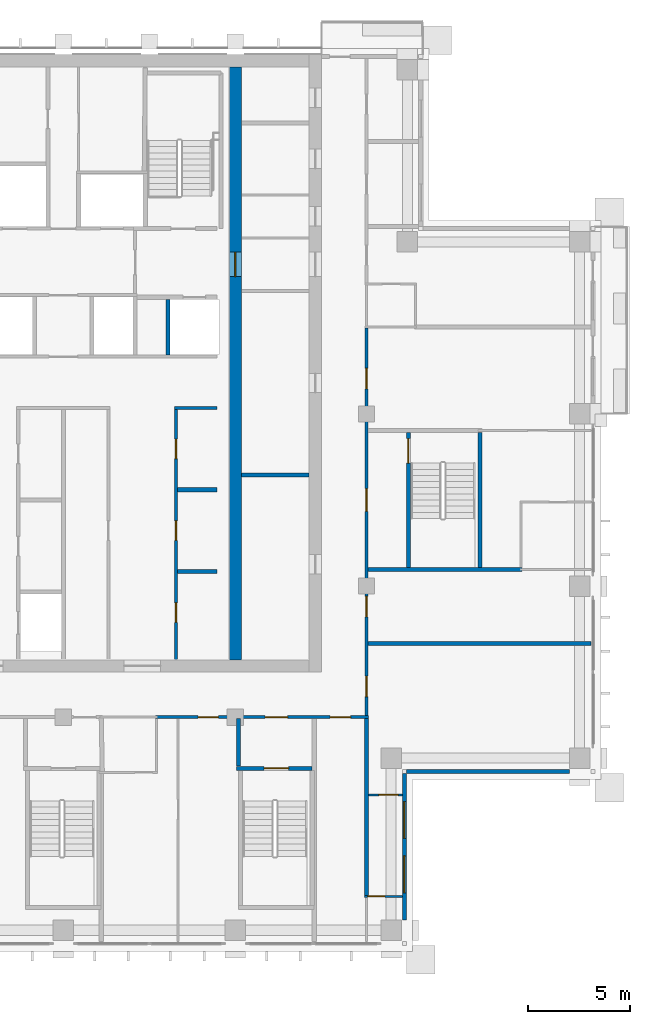
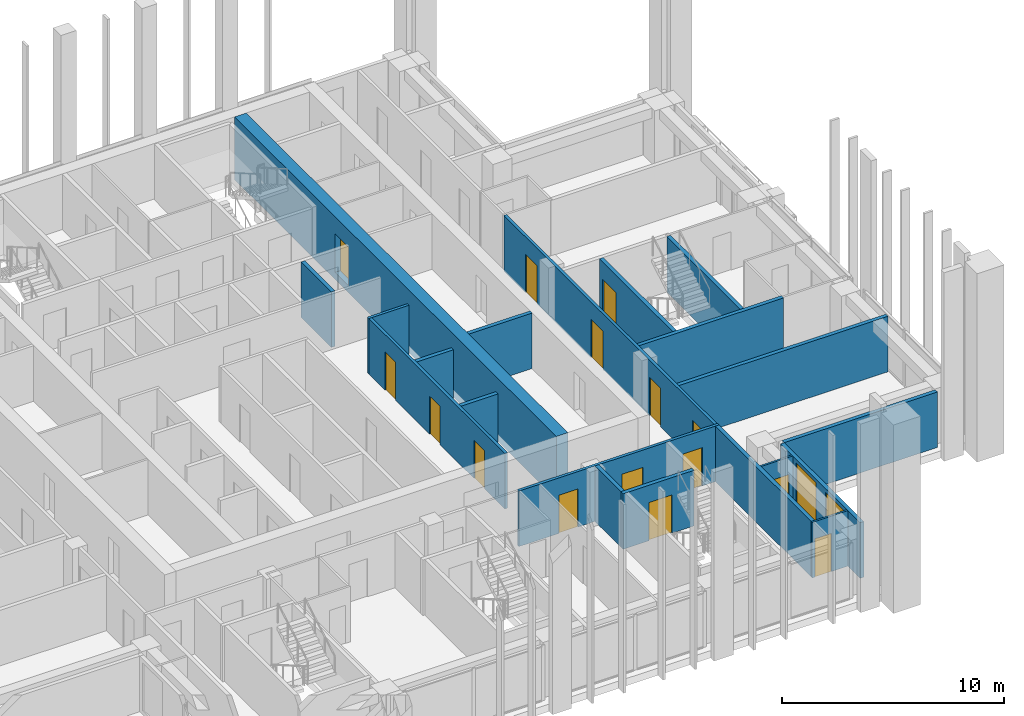
# One storey, part 10 of 17: 20 walls, 15 doors, 2 windows, 17 openings.
"""IFC4 building model written with IfcOpenShell, lengths in metres."""

from ifc_helpers import new_model, si_unit, direction, frame, frame_2d, origin, place, context, subcontext, project, spatial, rectangle, extrude, material, layer, layer_set, type_object, element, fill, save


model = new_model("IFC4")

# Units and contexts
model_context = context("Model", 3, precision=1e-05, world=origin(), true_north=direction((0.0, 1.0)))
body_context = subcontext(model_context, "Body", "Model", "MODEL_VIEW")
ifc_project = project(units=[si_unit("LENGTHUNIT", "METRE"), si_unit("AREAUNIT", "SQUARE_METRE"), si_unit("VOLUMEUNIT", "CUBIC_METRE"), si_unit("PLANEANGLEUNIT", "RADIAN"), si_unit("MASSUNIT", "GRAM", prefix="KILO")], contexts=[model_context])

# Site, building, storey
site_placement = place(None, origin())
site = spatial("IfcSite", under=ifc_project, at=site_placement, CompositionType="ELEMENT")
building_placement = place(site_placement, origin())
building = spatial("IfcBuilding", under=site, at=building_placement, Name="Vermilion Ogive Tower", CompositionType="ELEMENT")
storey_placement = place(building_placement, frame((0.0, 0.0, 175.550048828125)))
storey = spatial("IfcBuildingStorey", under=building, at=storey_placement, Name="L45", CompositionType="ELEMENT", Elevation=175.550048828125)

# Wall, opening, door
ifc_material_1 = material(Name="Concrete B60", Category="concrete")
ifc_layer_1 = layer(ifc_material_1, 0.60009765625)
ifc_layer_set_1 = layer_set([ifc_layer_1], Name="Core wall 600 B60")
wall_type_1 = type_object("IfcWallType", Name="Core wall 600 B60", PredefinedType="SHEAR", material=ifc_layer_set_1)
wall_1_placement = place(storey_placement, frame((8.39990234375, -7.800048828125, -0.400146484375), z_axis=(0.0, 0.0, 1.0), x_axis=(0.0, 1.0, 0.0)))
wall_1 = element("IfcWall", 1, at=wall_1_placement, inside=storey, type_object=wall_type_1, Name="L45-CORE-WEB2", PredefinedType="SHEAR", context=body_context, shape_type="SweptSolid", body=[
    extrude(rectangle(XDim=28.949951171875, YDim=0.60009765625, at=frame_2d((14.47509765625, 0.0))), origin(), (0.0, 0.0, 1.0), 3.4501953125),
])
opening_1_placement = place(wall_1_placement, frame((18.699951171875, 0.0, 0.39990234375)))
opening_1 = element("IfcOpeningElement", 2, at=opening_1_placement, cuts=wall_1, Name="Opening DAO013", PredefinedType="OPENING", context=body_context, shape_type="SweptSolid", body=[
    extrude(rectangle(XDim=1.199951171875, YDim=2.10009765625, at=frame_2d((0.60009765625, 1.050048828125))), frame((0.0, 0.31005859375, 0.0), z_axis=(0.0, -1.0, 0.0), x_axis=(1.0, 0.0, 0.0)), (0.0, 0.0, 1.0), 0.6201171875),
])
ifc_material_2 = material(Name="Timber door leaf", Category="wood")
door_type_1 = type_object("IfcDoorType", Name="Link door 1200 x 2100 FD60S", OperationType="SINGLE_SWING_LEFT", PredefinedType="DOOR", material=ifc_material_2)
door_1_placement = place(opening_1_placement, origin())
door_1 = element("IfcDoor", 3, at=door_1_placement, inside=storey, type_object=door_type_1, Name="L45-CKE-XW", OperationType="SINGLE_SWING_LEFT", OverallHeight=2.10009765625, OverallWidth=1.199951171875, PredefinedType="DOOR", context=body_context, shape_type="SweptSolid", body=[
    extrude(rectangle(XDim=1.199951171875, YDim=2.10009765625, at=frame_2d((0.60009765625, 1.050048828125))), frame((0.0, 0.02490234375, 0.0), z_axis=(0.0, -1.0, 0.0), x_axis=(1.0, 0.0, 0.0)), (0.0, 0.0, 1.0), 0.050048828125),
])
fill(opening_1, door_1)

ifc_material_3 = material(Name="Gypsum board partition on steel studs", Category="steel")
ifc_layer_2 = layer(ifc_material_3, 0.10009765625)
ifc_layer_set_2 = layer_set([ifc_layer_2], Name="Partition 100 bath")
wall_type_2 = type_object("IfcWallType", Name="Partition 100 bath", PredefinedType="PARTITIONING", material=ifc_layer_set_2)
wall_2_placement = place(storey_placement, frame((14.699951171875, -19.35009765625, 0.0), z_axis=(0.0, 0.0, 1.0), x_axis=(1.0, 0.0, 0.0)))
wall_2 = element("IfcWall", 4, at=wall_2_placement, inside=storey, type_object=wall_type_2, Name="L45-W-W005", PredefinedType="PARTITIONING", context=body_context, shape_type="SweptSolid", body=[
    extrude(rectangle(XDim=1.85009765625, YDim=0.10009765625, at=frame_2d((0.925048828125, 0.0))), origin(), (0.0, 0.0, 1.0), 3.050048828125),
])
opening_2_placement = place(wall_2_placement, frame((0.14990234375, 0.0, 0.0)))
opening_2 = element("IfcOpeningElement", 5, at=opening_2_placement, cuts=wall_2, Name="Opening D4G1019", PredefinedType="OPENING", context=body_context, shape_type="SweptSolid", body=[
    extrude(rectangle(XDim=0.85009765625, YDim=2.10009765625, at=frame_2d((0.425048828125, 1.050048828125))), frame((0.0, 0.06005859375, 0.0), z_axis=(0.0, -1.0, 0.0), x_axis=(1.0, 0.0, 0.0)), (0.0, 0.0, 1.0), 0.1201171875),
])
ifc_material_4 = material(Name="Timber door leaf", Category="wood")
door_type_2 = type_object("IfcDoorType", Name="Bath door 850 x 2100 FD30", OperationType="SINGLE_SWING_LEFT", PredefinedType="DOOR", material=ifc_material_4)
door_2_placement = place(opening_2_placement, origin())
door_2 = element("IfcDoor", 6, at=door_2_placement, inside=storey, type_object=door_type_2, Name="L45-D-D019", OperationType="SINGLE_SWING_RIGHT", OverallHeight=2.10009765625, OverallWidth=0.85009765625, PredefinedType="DOOR", context=body_context, shape_type="SweptSolid", body=[
    extrude(rectangle(XDim=0.85009765625, YDim=2.10009765625, at=frame_2d((0.425048828125, 1.050048828125))), frame((0.0, 0.02490234375, 0.0), z_axis=(0.0, -1.0, 0.0), x_axis=(1.0, 0.0, 0.0)), (0.0, 0.0, 1.0), 0.050048828125),
])
fill(opening_2, door_2)

ifc_material_5 = material(Name="Gypsum board partition on steel studs", Category="steel")
ifc_layer_3 = layer(ifc_material_5, 0.10009765625)
ifc_layer_set_3 = layer_set([ifc_layer_3], Name="Partition 100 inner")
wall_type_3 = type_object("IfcWallType", Name="Partition 100 inner", PredefinedType="PARTITIONING", material=ifc_layer_set_3)
wall_3_placement = place(storey_placement, frame((14.89990234375, -14.39990234375, 0.0), z_axis=(0.0, 0.0, 1.0), x_axis=(1.0, 0.0, 0.0)))
wall_3 = element("IfcWall", 7, at=wall_3_placement, inside=storey, type_object=wall_type_3, Name="L45-W-W007", PredefinedType="PARTITIONING", context=body_context, shape_type="SweptSolid", body=[
    extrude(rectangle(XDim=1.650146484375, YDim=0.10009765625, at=frame_2d((0.8251953125, 0.0))), origin(), (0.0, 0.0, 1.0), 3.050048828125),
])
opening_3_placement = place(wall_3_placement, frame((0.500244140625, 0.0, 0.0)))
opening_3 = element("IfcOpeningElement", 8, at=opening_3_placement, cuts=wall_3, Name="Opening D4G1018", PredefinedType="OPENING", context=body_context, shape_type="SweptSolid", body=[
    extrude(rectangle(XDim=0.949951171875, YDim=2.10009765625, at=frame_2d((0.47509765625, 1.050048828125))), frame((0.0, 0.06005859375, 0.0), z_axis=(0.0, -1.0, 0.0), x_axis=(1.0, 0.0, 0.0)), (0.0, 0.0, 1.0), 0.1201171875),
])
ifc_material_6 = material(Name="Timber door leaf", Category="wood")
door_type_3 = type_object("IfcDoorType", Name="Inner door 950 x 2100 FD30", OperationType="SINGLE_SWING_LEFT", PredefinedType="DOOR", material=ifc_material_6)
door_3_placement = place(opening_3_placement, origin())
door_3 = element("IfcDoor", 9, at=door_3_placement, inside=storey, type_object=door_type_3, Name="L45-D-D018", OperationType="SINGLE_SWING_RIGHT", OverallHeight=2.10009765625, OverallWidth=0.949951171875, PredefinedType="DOOR", context=body_context, shape_type="SweptSolid", body=[
    extrude(rectangle(XDim=0.949951171875, YDim=2.10009765625, at=frame_2d((0.47509765625, 1.050048828125))), frame((0.0, 0.02490234375, 0.0), z_axis=(0.0, -1.0, 0.0), x_axis=(1.0, 0.0, 0.0)), (0.0, 0.0, 1.0), 0.050048828125),
])
fill(opening_3, door_3)

# Wall, openings, doors
ifc_material_7 = material(Name="Gypsum board partition on steel studs", Category="steel")
ifc_layer_4 = layer(ifc_material_7, 0.14990234375)
ifc_layer_set_4 = layer_set([ifc_layer_4], Name="Partition 150 corridor")
wall_type_4 = type_object("IfcWallType", Name="Partition 150 corridor", PredefinedType="PARTITIONING", material=ifc_layer_set_4)
wall_4_placement = place(storey_placement, frame((4.5, -10.60009765625, 0.0), z_axis=(0.0, 0.0, 1.0), x_axis=(1.0, 0.0, 0.0)))
wall_4 = element("IfcWall", 10, at=wall_4_placement, inside=storey, type_object=wall_type_4, Name="L45-W-W017", PredefinedType="PARTITIONING", context=body_context, shape_type="SweptSolid", body=[
    extrude(rectangle(XDim=10.39990234375, YDim=0.14990234375, at=frame_2d((5.199951171875, 0.0))), origin(), (0.0, 0.0, 1.0), 3.050048828125),
])
opening_4_placement = place(wall_4_placement, frame((2.074951171875, 0.0, 0.0)))
opening_4 = element("IfcOpeningElement", 11, at=opening_4_placement, cuts=wall_4, Name="Opening D4G1014", PredefinedType="OPENING", context=body_context, shape_type="SweptSolid", body=[
    extrude(rectangle(XDim=1.0, YDim=2.10009765625, at=frame_2d((0.5, 1.050048828125))), frame((0.0, 0.0849609375, 0.0), z_axis=(0.0, -1.0, 0.0), x_axis=(1.0, 0.0, 0.0)), (0.0, 0.0, 1.0), 0.169921875),
])
opening_5_placement = place(wall_4_placement, frame((5.35009765625, 0.0, 0.0)))
opening_5 = element("IfcOpeningElement", 12, at=opening_5_placement, cuts=wall_4, Name="Opening D4G1031", PredefinedType="OPENING", context=body_context, shape_type="SweptSolid", body=[
    extrude(rectangle(XDim=1.10009765625, YDim=2.10009765625, at=frame_2d((0.550048828125, 1.050048828125))), frame((0.0, 0.0849609375, 0.0), z_axis=(0.0, -1.0, 0.0), x_axis=(1.0, 0.0, 0.0)), (0.0, 0.0, 1.0), 0.169921875),
])
opening_6_placement = place(wall_4_placement, frame((8.52490234375, 0.0, 0.0)))
opening_6 = element("IfcOpeningElement", 13, at=opening_6_placement, cuts=wall_4, Name="Opening D4G1038", PredefinedType="OPENING", context=body_context, shape_type="SweptSolid", body=[
    extrude(rectangle(XDim=1.0, YDim=2.10009765625, at=frame_2d((0.5, 1.050048828125))), frame((0.0, 0.0849609375, 0.0), z_axis=(0.0, -1.0, 0.0), x_axis=(1.0, 0.0, 0.0)), (0.0, 0.0, 1.0), 0.169921875),
])
ifc_material_8 = material(Name="Timber door leaf", Category="wood")
door_type_4 = type_object("IfcDoorType", Name="Stair door 1100 x 2100 FD60S", OperationType="SINGLE_SWING_LEFT", PredefinedType="DOOR", material=ifc_material_8)
door_4_placement = place(opening_5_placement, origin())
door_4 = element("IfcDoor", 14, at=door_4_placement, inside=storey, type_object=door_type_4, Name="L45-D-D031", OperationType="SINGLE_SWING_LEFT", OverallHeight=2.10009765625, OverallWidth=1.10009765625, PredefinedType="DOOR", context=body_context, shape_type="SweptSolid", body=[
    extrude(rectangle(XDim=1.10009765625, YDim=2.10009765625, at=frame_2d((0.550048828125, 1.050048828125))), frame((0.0, 0.02490234375, 0.0), z_axis=(0.0, -1.0, 0.0), x_axis=(1.0, 0.0, 0.0)), (0.0, 0.0, 1.0), 0.050048828125),
])
fill(opening_5, door_4)
ifc_material_9 = material(Name="Timber door leaf", Category="wood")
door_type_5 = type_object("IfcDoorType", Name="Unit door 1000 x 2100 FD30S", OperationType="SINGLE_SWING_LEFT", PredefinedType="DOOR", material=ifc_material_9)
door_5_placement = place(opening_4_placement, origin())
door_5 = element("IfcDoor", 15, at=door_5_placement, inside=storey, type_object=door_type_5, Name="L45-D-D014", OperationType="SINGLE_SWING_LEFT", OverallHeight=2.10009765625, OverallWidth=1.0, PredefinedType="DOOR", context=body_context, shape_type="SweptSolid", body=[
    extrude(rectangle(XDim=1.0, YDim=2.10009765625, at=frame_2d((0.5, 1.050048828125))), frame((0.0, 0.02490234375, 0.0), z_axis=(0.0, -1.0, 0.0), x_axis=(1.0, 0.0, 0.0)), (0.0, 0.0, 1.0), 0.050048828125),
])
fill(opening_4, door_5)
door_6_placement = place(opening_6_placement, origin())
door_6 = element("IfcDoor", 16, at=door_6_placement, inside=storey, type_object=door_type_5, Name="L45-D-D038", OperationType="SINGLE_SWING_LEFT", OverallHeight=2.10009765625, OverallWidth=1.0, PredefinedType="DOOR", context=body_context, shape_type="SweptSolid", body=[
    extrude(rectangle(XDim=1.0, YDim=2.10009765625, at=frame_2d((0.5, 1.050048828125))), frame((0.0, 0.02490234375, 0.0), z_axis=(0.0, -1.0, 0.0), x_axis=(1.0, 0.0, 0.0)), (0.0, 0.0, 1.0), 0.050048828125),
])
fill(opening_6, door_6)

wall_5_placement = place(storey_placement, frame((14.800048828125, -10.52490234375, 0.0), z_axis=(0.0, 0.0, 1.0), x_axis=(0.0, 1.0, 0.0)))
wall_5 = element("IfcWall", 17, at=wall_5_placement, inside=storey, type_object=wall_type_4, Name="L45-W-W072", PredefinedType="PARTITIONING", context=body_context, shape_type="SweptSolid", body=[
    extrude(rectangle(XDim=18.9248046875, YDim=0.14990234375, at=frame_2d((9.46240234375, 0.0))), origin(), (0.0, 0.0, 1.0), 3.050048828125),
])
opening_7_placement = place(wall_5_placement, frame((0.9248046875, 0.0, 0.0)))
opening_7 = element("IfcOpeningElement", 18, at=opening_7_placement, cuts=wall_5, Name="Opening D4G1017", PredefinedType="OPENING", context=body_context, shape_type="SweptSolid", body=[
    extrude(rectangle(XDim=1.0, YDim=2.10009765625, at=frame_2d((0.5, 1.050048828125))), frame((0.0, 0.0849609375, 0.0), z_axis=(0.0, -1.0, 0.0), x_axis=(1.0, 0.0, 0.0)), (0.0, 0.0, 1.0), 0.169921875),
])
opening_8_placement = place(wall_5_placement, frame((15.949951171875, 0.0, 0.0)))
opening_8 = element("IfcOpeningElement", 19, at=opening_8_placement, cuts=wall_5, Name="Opening D4G1020", PredefinedType="OPENING", context=body_context, shape_type="SweptSolid", body=[
    extrude(rectangle(XDim=1.0, YDim=2.10009765625, at=frame_2d((0.5, 1.050048828125))), frame((0.0, 0.0849609375, 0.0), z_axis=(0.0, -1.0, 0.0), x_axis=(1.0, 0.0, 0.0)), (0.0, 0.0, 1.0), 0.169921875),
])
opening_9_placement = place(wall_5_placement, frame((9.974853515625, 0.0, 0.0)))
opening_9 = element("IfcOpeningElement", 20, at=opening_9_placement, cuts=wall_5, Name="Opening D4G1033", PredefinedType="OPENING", context=body_context, shape_type="SweptSolid", body=[
    extrude(rectangle(XDim=1.10009765625, YDim=2.10009765625, at=frame_2d((0.550048828125, 1.050048828125))), frame((0.0, 0.0849609375, 0.0), z_axis=(0.0, -1.0, 0.0), x_axis=(1.0, 0.0, 0.0)), (0.0, 0.0, 1.0), 0.169921875),
])
opening_10_placement = place(wall_5_placement, frame((4.824951171875, 0.0, 0.0)))
opening_10 = element("IfcOpeningElement", 21, at=opening_10_placement, cuts=wall_5, Name="Opening D4G1040", PredefinedType="OPENING", context=body_context, shape_type="SweptSolid", body=[
    extrude(rectangle(XDim=1.0, YDim=2.10009765625, at=frame_2d((0.5, 1.050048828125))), frame((0.0, 0.0849609375, 0.0), z_axis=(0.0, -1.0, 0.0), x_axis=(1.0, 0.0, 0.0)), (0.0, 0.0, 1.0), 0.169921875),
])
door_7_placement = place(opening_9_placement, origin())
door_7 = element("IfcDoor", 22, at=door_7_placement, inside=storey, type_object=door_type_4, Name="L45-D-D033", OperationType="SINGLE_SWING_LEFT", OverallHeight=2.10009765625, OverallWidth=1.10009765625, PredefinedType="DOOR", context=body_context, shape_type="SweptSolid", body=[
    extrude(rectangle(XDim=1.10009765625, YDim=2.10009765625, at=frame_2d((0.550048828125, 1.050048828125))), frame((0.0, 0.02490234375, 0.0), z_axis=(0.0, -1.0, 0.0), x_axis=(1.0, 0.0, 0.0)), (0.0, 0.0, 1.0), 0.050048828125),
])
fill(opening_9, door_7)
door_8_placement = place(opening_7_placement, origin())
door_8 = element("IfcDoor", 23, at=door_8_placement, inside=storey, type_object=door_type_5, Name="L45-D-D017", OperationType="SINGLE_SWING_RIGHT", OverallHeight=2.10009765625, OverallWidth=1.0, PredefinedType="DOOR", context=body_context, shape_type="SweptSolid", body=[
    extrude(rectangle(XDim=1.0, YDim=2.10009765625, at=frame_2d((0.5, 1.050048828125))), frame((0.0, 0.02490234375, 0.0), z_axis=(0.0, -1.0, 0.0), x_axis=(1.0, 0.0, 0.0)), (0.0, 0.0, 1.0), 0.050048828125),
])
fill(opening_7, door_8)
door_9_placement = place(opening_8_placement, origin())
door_9 = element("IfcDoor", 24, at=door_9_placement, inside=storey, type_object=door_type_5, Name="L45-D-D020", OperationType="SINGLE_SWING_LEFT", OverallHeight=2.10009765625, OverallWidth=1.0, PredefinedType="DOOR", context=body_context, shape_type="SweptSolid", body=[
    extrude(rectangle(XDim=1.0, YDim=2.10009765625, at=frame_2d((0.5, 1.050048828125))), frame((0.0, 0.02490234375, 0.0), z_axis=(0.0, -1.0, 0.0), x_axis=(1.0, 0.0, 0.0)), (0.0, 0.0, 1.0), 0.050048828125),
])
fill(opening_8, door_9)
door_10_placement = place(opening_10_placement, origin())
door_10 = element("IfcDoor", 25, at=door_10_placement, inside=storey, type_object=door_type_5, Name="L45-D-D040", OperationType="SINGLE_SWING_LEFT", OverallHeight=2.10009765625, OverallWidth=1.0, PredefinedType="DOOR", context=body_context, shape_type="SweptSolid", body=[
    extrude(rectangle(XDim=1.0, YDim=2.10009765625, at=frame_2d((0.5, 1.050048828125))), frame((0.0, 0.02490234375, 0.0), z_axis=(0.0, -1.0, 0.0), x_axis=(1.0, 0.0, 0.0)), (0.0, 0.0, 1.0), 0.050048828125),
])
fill(opening_10, door_10)

# Wall
wall_6_placement = place(storey_placement, frame((5.425048828125, 4.5, 0.0), z_axis=(0.0, 0.0, 1.0), x_axis=(1.0, 0.0, 0.0)))
element("IfcWall", 26, at=wall_6_placement, inside=storey, type_object=wall_type_4, Name="L45-CK-W-W010", PredefinedType="PARTITIONING", context=body_context, shape_type="SweptSolid", body=[
    extrude(rectangle(XDim=2.074951171875, YDim=0.14990234375, at=frame_2d((1.03759765625, 0.0))), origin(), (0.0, 0.0, 1.0), 3.050048828125),
])

# Wall, openings, doors
wall_7_placement = place(storey_placement, frame((5.5, -7.799072265625, 0.0), z_axis=(0.0, 0.0, 1.0), x_axis=(0.0, 1.0, 0.0)))
wall_7 = element("IfcWall", 27, at=wall_7_placement, inside=storey, type_object=wall_type_4, Name="L45-CK-W-W038", PredefinedType="PARTITIONING", context=body_context, shape_type="SweptSolid", body=[
    extrude(rectangle(XDim=12.22412109375, YDim=0.14990234375, at=frame_2d((6.112060546875, 0.0))), origin(), (0.0, 0.0, 1.0), 3.050048828125),
])
opening_11_placement = place(wall_7_placement, frame((1.823974609375, 0.0, 0.0)))
opening_11 = element("IfcOpeningElement", 28, at=opening_11_placement, cuts=wall_7, Name="Opening DAA403", PredefinedType="OPENING", context=body_context, shape_type="SweptSolid", body=[
    extrude(rectangle(XDim=0.949951171875, YDim=2.10009765625, at=frame_2d((0.47509765625, 1.050048828125))), frame((0.0, 0.0849609375, 0.0), z_axis=(0.0, -1.0, 0.0), x_axis=(1.0, 0.0, 0.0)), (0.0, 0.0, 1.0), 0.169921875),
])
opening_12_placement = place(wall_7_placement, frame((5.823974609375, 0.0, 0.0)))
opening_12 = element("IfcOpeningElement", 29, at=opening_12_placement, cuts=wall_7, Name="Opening DAA404", PredefinedType="OPENING", context=body_context, shape_type="SweptSolid", body=[
    extrude(rectangle(XDim=0.949951171875, YDim=2.10009765625, at=frame_2d((0.47509765625, 1.050048828125))), frame((0.0, 0.0849609375, 0.0), z_axis=(0.0, -1.0, 0.0), x_axis=(1.0, 0.0, 0.0)), (0.0, 0.0, 1.0), 0.169921875),
])
opening_13_placement = place(wall_7_placement, frame((9.823974609375, 0.0, 0.0)))
opening_13 = element("IfcOpeningElement", 30, at=opening_13_placement, cuts=wall_7, Name="Opening DAA405", PredefinedType="OPENING", context=body_context, shape_type="SweptSolid", body=[
    extrude(rectangle(XDim=0.949951171875, YDim=2.10009765625, at=frame_2d((0.47509765625, 1.050048828125))), frame((0.0, 0.0849609375, 0.0), z_axis=(0.0, -1.0, 0.0), x_axis=(1.0, 0.0, 0.0)), (0.0, 0.0, 1.0), 0.169921875),
])
ifc_material_10 = material(Name="Timber door leaf", Category="wood")
door_type_6 = type_object("IfcDoorType", Name="Service door 950 x 2100 FD60", OperationType="SINGLE_SWING_LEFT", PredefinedType="DOOR", material=ifc_material_10)
door_11_placement = place(opening_11_placement, origin())
door_11 = element("IfcDoor", 31, at=door_11_placement, inside=storey, type_object=door_type_6, Name="L45-CK-D-D009", OperationType="SINGLE_SWING_LEFT", OverallHeight=2.10009765625, OverallWidth=0.949951171875, PredefinedType="DOOR", context=body_context, shape_type="SweptSolid", body=[
    extrude(rectangle(XDim=0.949951171875, YDim=2.10009765625, at=frame_2d((0.47509765625, 1.050048828125))), frame((0.0, 0.02490234375, 0.0), z_axis=(0.0, -1.0, 0.0), x_axis=(1.0, 0.0, 0.0)), (0.0, 0.0, 1.0), 0.050048828125),
])
fill(opening_11, door_11)
door_12_placement = place(opening_12_placement, origin())
door_12 = element("IfcDoor", 32, at=door_12_placement, inside=storey, type_object=door_type_6, Name="L45-CK-D-D010", OperationType="SINGLE_SWING_LEFT", OverallHeight=2.10009765625, OverallWidth=0.949951171875, PredefinedType="DOOR", context=body_context, shape_type="SweptSolid", body=[
    extrude(rectangle(XDim=0.949951171875, YDim=2.10009765625, at=frame_2d((0.47509765625, 1.050048828125))), frame((0.0, 0.02490234375, 0.0), z_axis=(0.0, -1.0, 0.0), x_axis=(1.0, 0.0, 0.0)), (0.0, 0.0, 1.0), 0.050048828125),
])
fill(opening_12, door_12)
door_13_placement = place(opening_13_placement, origin())
door_13 = element("IfcDoor", 33, at=door_13_placement, inside=storey, type_object=door_type_6, Name="L45-CK-D-D011", OperationType="SINGLE_SWING_RIGHT", OverallHeight=2.10009765625, OverallWidth=0.949951171875, PredefinedType="DOOR", context=body_context, shape_type="SweptSolid", body=[
    extrude(rectangle(XDim=0.949951171875, YDim=2.10009765625, at=frame_2d((0.47509765625, 1.050048828125))), frame((0.0, 0.02490234375, 0.0), z_axis=(0.0, -1.0, 0.0), x_axis=(1.0, 0.0, 0.0)), (0.0, 0.0, 1.0), 0.050048828125),
])
fill(opening_13, door_13)

# Walls
ifc_material_11 = material(Name="Gypsum board partition on steel studs", Category="steel")
ifc_layer_5 = layer(ifc_material_11, 0.199951171875)
ifc_layer_set_5 = layer_set([ifc_layer_5], Name="Partition 200 party")
wall_type_5 = type_object("IfcWallType", Name="Partition 200 party", PredefinedType="PARTITIONING", material=ifc_layer_set_5)
wall_8_placement = place(storey_placement, frame((14.875, -7.0, 0.0), z_axis=(0.0, 0.0, 1.0), x_axis=(1.0, 0.0, 0.0)))
element("IfcWall", 34, at=wall_8_placement, inside=storey, type_object=wall_type_5, Name="L45-W-W019", PredefinedType="PARTITIONING", context=body_context, shape_type="SweptSolid", body=[
    extrude(rectangle(XDim=10.875, YDim=0.199951171875, at=frame_2d((5.4375, 0.0))), origin(), (0.0, 0.0, 1.0), 3.050048828125),
])
wall_9_placement = place(storey_placement, frame((8.550048828125, -12.998046875, 0.0), z_axis=(0.0, 0.0, 1.0), x_axis=(0.0, 1.0, 0.0)))
element("IfcWall", 35, at=wall_9_placement, inside=storey, type_object=wall_type_5, Name="L45-W-W066", PredefinedType="PARTITIONING", context=body_context, shape_type="SweptSolid", body=[
    extrude(rectangle(XDim=2.322998046875, YDim=0.199951171875, at=frame_2d((1.16162109375, 0.0))), origin(), (0.0, 0.0, 1.0), 3.050048828125),
])
wall_10_placement = place(storey_placement, frame((14.800048828125, -19.300048828125, 0.0), z_axis=(0.0, 0.0, 1.0), x_axis=(0.0, 1.0, 0.0)))
element("IfcWall", 36, at=wall_10_placement, inside=storey, type_object=wall_type_5, Name="L45-W-W071", PredefinedType="PARTITIONING", context=body_context, shape_type="SweptSolid", body=[
    extrude(rectangle(XDim=8.625, YDim=0.199951171875, at=frame_2d((4.3125, 0.0))), origin(), (0.0, 0.0, 1.0), 3.050048828125),
])
for number, where, z_axis, x_axis, name in (
    (37, (5.574951171875, -3.5, 0.0), (0.0, 0.0, 1.0), (1.0, 0.0, 0.0), "L45-CK-W-W003"),
    (38, (5.574951171875, 0.5, 0.0), (0.0, 0.0, 1.0), (1.0, 0.0, 0.0), "L45-CK-W-W006"),
):
    element("IfcWall", number, at=place(storey_placement, frame(where, z_axis=z_axis, x_axis=x_axis)), inside=storey, type_object=wall_type_5, Name=name, PredefinedType="PARTITIONING", context=body_context, shape_type="SweptSolid", body=[
        extrude(rectangle(XDim=1.925048828125, YDim=0.199951171875, at=frame_2d((0.96240234375, 0.0))), origin(), (0.0, 0.0, 1.0), 3.050048828125),
    ])
wall_11_placement = place(storey_placement, frame((5.10009765625, 7.074951171875, 0.0), z_axis=(0.0, 0.0, 1.0), x_axis=(0.0, 1.0, 0.0)))
element("IfcWall", 39, at=wall_11_placement, inside=storey, type_object=wall_type_5, Name="L45-CK-W-W037", PredefinedType="PARTITIONING", context=body_context, shape_type="SweptSolid", body=[
    extrude(rectangle(XDim=2.72509765625, YDim=0.199951171875, at=frame_2d((1.362548828125, 0.0))), origin(), (0.0, 0.0, 1.0), 3.050048828125),
])
wall_12_placement = place(storey_placement, frame((8.700927734375, 1.22509765625, 0.0), z_axis=(0.0, 0.0, 1.0), x_axis=(1.0, 0.0, 0.0)))
element("IfcWall", 40, at=wall_12_placement, inside=storey, type_object=wall_type_5, Name="L45-CKE-W-W001", PredefinedType="PARTITIONING", context=body_context, shape_type="SweptSolid", body=[
    extrude(rectangle(XDim=3.298095703125, YDim=0.199951171875, at=frame_2d((1.64892578125, 0.0))), origin(), (0.0, 0.0, 1.0), 3.050048828125),
])

# Wall, opening, door
ifc_material_12 = material(Name="Concrete B60", Category="concrete")
ifc_layer_6 = layer(ifc_material_12, 0.199951171875)
ifc_layer_set_6 = layer_set([ifc_layer_6], Name="Stair shaft wall 200 Concrete B60")
wall_type_6 = type_object("IfcWallType", Name="Stair shaft wall 200 Concrete B60", PredefinedType="SOLIDWALL", material=ifc_layer_set_6)
wall_13_placement = place(storey_placement, frame((8.451904296875, -13.10009765625, 0.0), z_axis=(0.0, 0.0, 1.0), x_axis=(1.0, 0.0, 0.0)))
wall_13 = element("IfcWall", 41, at=wall_13_placement, inside=storey, type_object=wall_type_6, Name="L45-W-W012", PredefinedType="SOLIDWALL", context=body_context, shape_type="SweptSolid", body=[
    extrude(rectangle(XDim=3.696044921875, YDim=0.199951171875, at=frame_2d((1.84814453125, 0.0))), origin(), (0.0, 0.0, 1.0), 3.050048828125),
])
opening_14_placement = place(wall_13_placement, frame((1.34814453125, 0.0, 0.0)))
opening_14 = element("IfcOpeningElement", 42, at=opening_14_placement, cuts=wall_13, Name="Opening D4G1032", PredefinedType="OPENING", context=body_context, shape_type="SweptSolid", body=[
    extrude(rectangle(XDim=1.199951171875, YDim=2.10009765625, at=frame_2d((0.60009765625, 1.050048828125))), frame((0.0, 0.10986328125, 0.0), z_axis=(0.0, -1.0, 0.0), x_axis=(1.0, 0.0, 0.0)), (0.0, 0.0, 1.0), 0.219970703125),
])
ifc_material_13 = material(Name="Timber door leaf", Category="wood")
door_type_7 = type_object("IfcDoorType", Name="Stair door 1200 x 2100 FD60S", OperationType="SINGLE_SWING_LEFT", PredefinedType="DOOR", material=ifc_material_13)
door_14_placement = place(opening_14_placement, origin())
door_14 = element("IfcDoor", 43, at=door_14_placement, inside=storey, type_object=door_type_7, Name="L45-D-D032", OperationType="SINGLE_SWING_RIGHT", OverallHeight=2.10009765625, OverallWidth=1.199951171875, PredefinedType="DOOR", context=body_context, shape_type="SweptSolid", body=[
    extrude(rectangle(XDim=1.199951171875, YDim=2.10009765625, at=frame_2d((0.60009765625, 1.050048828125))), frame((0.0, 0.02490234375, 0.0), z_axis=(0.0, -1.0, 0.0), x_axis=(1.0, 0.0, 0.0)), (0.0, 0.0, 1.0), 0.050048828125),
])
fill(opening_14, door_14)

# Wall
wall_14_placement = place(storey_placement, frame((14.875, -3.39990234375, 0.0), z_axis=(0.0, 0.0, 1.0), x_axis=(1.0, 0.0, 0.0)))
element("IfcWall", 44, at=wall_14_placement, inside=storey, type_object=wall_type_6, Name="L45-W-W023", PredefinedType="SOLIDWALL", context=body_context, shape_type="SweptSolid", body=[
    extrude(rectangle(XDim=7.52490234375, YDim=0.199951171875, at=frame_2d((3.762451171875, 0.0))), origin(), (0.0, 0.0, 1.0), 3.050048828125),
])

# Wall, opening, door
wall_15_placement = place(storey_placement, frame((16.85009765625, -3.300048828125, 0.0), z_axis=(0.0, 0.0, 1.0), x_axis=(0.0, 1.0, 0.0)))
wall_15 = element("IfcWall", 45, at=wall_15_placement, inside=storey, type_object=wall_type_6, Name="L45-W-W075", PredefinedType="SOLIDWALL", context=body_context, shape_type="SweptSolid", body=[
    extrude(rectangle(XDim=6.60009765625, YDim=0.199951171875, at=frame_2d((3.300048828125, 0.0))), origin(), (0.0, 0.0, 1.0), 3.050048828125),
])
opening_15_placement = place(wall_15_placement, frame((5.10009765625, 0.0, 0.0)))
opening_15 = element("IfcOpeningElement", 46, at=opening_15_placement, cuts=wall_15, Name="Opening D4G1034", PredefinedType="OPENING", context=body_context, shape_type="SweptSolid", body=[
    extrude(rectangle(XDim=1.199951171875, YDim=2.10009765625, at=frame_2d((0.60009765625, 1.050048828125))), frame((0.0, 0.10986328125, 0.0), z_axis=(0.0, -1.0, 0.0), x_axis=(1.0, 0.0, 0.0)), (0.0, 0.0, 1.0), 0.219970703125),
])
door_15_placement = place(opening_15_placement, origin())
door_15 = element("IfcDoor", 47, at=door_15_placement, inside=storey, type_object=door_type_7, Name="L45-D-D034", OperationType="SINGLE_SWING_LEFT", OverallHeight=2.10009765625, OverallWidth=1.199951171875, PredefinedType="DOOR", context=body_context, shape_type="SweptSolid", body=[
    extrude(rectangle(XDim=1.199951171875, YDim=2.10009765625, at=frame_2d((0.60009765625, 1.050048828125))), frame((0.0, 0.02490234375, 0.0), z_axis=(0.0, -1.0, 0.0), x_axis=(1.0, 0.0, 0.0)), (0.0, 0.0, 1.0), 0.050048828125),
])
fill(opening_15, door_15)

# Wall
wall_16_placement = place(storey_placement, frame((20.35009765625, -3.300048828125, 0.0), z_axis=(0.0, 0.0, 1.0), x_axis=(0.0, 1.0, 0.0)))
element("IfcWall", 48, at=wall_16_placement, inside=storey, type_object=wall_type_6, Name="L45-W-W077", PredefinedType="SOLIDWALL", context=body_context, shape_type="SweptSolid", body=[
    extrude(rectangle(XDim=6.60009765625, YDim=0.199951171875, at=frame_2d((3.300048828125, 0.0))), origin(), (0.0, 0.0, 1.0), 3.050048828125),
])

# Wall, openings, windows
ifc_material_14 = material(Name="Aluminium window wall framing", Category="aluminium")
ifc_layer_7 = layer(ifc_material_14, 0.199951171875)
ifc_layer_set_7 = layer_set([ifc_layer_7], Name="Window wall")
wall_type_7 = type_object("IfcWallType", Name="Window wall", PredefinedType="STANDARD", material=ifc_layer_set_7)
wall_17_placement = place(storey_placement, frame((16.64990234375, -20.5, 0.0), z_axis=(0.0, 0.0, 1.0), x_axis=(0.0, 1.0, 0.0)))
wall_17 = element("IfcWall", 49, at=wall_17_placement, inside=storey, type_object=wall_type_7, Name="Window wall X11", PredefinedType="STANDARD", context=body_context, shape_type="SweptSolid", body=[
    extrude(rectangle(XDim=7.14990234375, YDim=0.199951171875, at=frame_2d((3.574951171875, 0.0))), origin(), (0.0, 0.0, 1.0), 3.050048828125),
])
opening_16_placement = place(wall_17_placement, frame((1.320068359375, 0.0, 0.199951171875)))
opening_16 = element("IfcOpeningElement", 50, at=opening_16_placement, cuts=wall_17, Name="Opening W1-X195", PredefinedType="OPENING", context=body_context, shape_type="SweptSolid", body=[
    extrude(rectangle(XDim=1.800048828125, YDim=2.64990234375, at=frame_2d((0.89990234375, 1.324951171875))), frame((0.0, 0.10986328125, 0.0), z_axis=(0.0, -1.0, 0.0), x_axis=(1.0, 0.0, 0.0)), (0.0, 0.0, 1.0), 0.219970703125),
])
opening_17_placement = place(wall_17_placement, frame((3.97509765625, 0.0, 0.199951171875)))
opening_17 = element("IfcOpeningElement", 51, at=opening_17_placement, cuts=wall_17, Name="Opening W1-X196", PredefinedType="OPENING", context=body_context, shape_type="SweptSolid", body=[
    extrude(rectangle(XDim=1.800048828125, YDim=2.64990234375, at=frame_2d((0.89990234375, 1.324951171875))), frame((0.0, 0.10986328125, 0.0), z_axis=(0.0, -1.0, 0.0), x_axis=(1.0, 0.0, 0.0)), (0.0, 0.0, 1.0), 0.219970703125),
])
ifc_material_15 = material(Name="Aluminium framed double glazing", Category="aluminium")
window_type = type_object("IfcWindowType", Name="Guest window W1", PartitioningType="SINGLE_PANEL", PredefinedType="WINDOW", material=ifc_material_15)
window_1_placement = place(opening_16_placement, origin())
window_1 = element("IfcWindow", 52, at=window_1_placement, inside=storey, type_object=window_type, Name="Window X195", OverallHeight=2.64990234375, OverallWidth=1.800048828125, PartitioningType="SINGLE_PANEL", PredefinedType="WINDOW", context=body_context, shape_type="SweptSolid", body=[
    extrude(rectangle(XDim=1.800048828125, YDim=2.64990234375, at=frame_2d((0.89990234375, 1.324951171875))), frame((0.0, 0.030029296875, 0.0), z_axis=(0.0, -1.0, 0.0), x_axis=(1.0, 0.0, 0.0)), (0.0, 0.0, 1.0), 0.06005859375),
])
fill(opening_16, window_1)
window_2_placement = place(opening_17_placement, origin())
window_2 = element("IfcWindow", 53, at=window_2_placement, inside=storey, type_object=window_type, Name="Window X196", OverallHeight=2.64990234375, OverallWidth=1.800048828125, PartitioningType="SINGLE_PANEL", PredefinedType="WINDOW", context=body_context, shape_type="SweptSolid", body=[
    extrude(rectangle(XDim=1.800048828125, YDim=2.64990234375, at=frame_2d((0.89990234375, 1.324951171875))), frame((0.0, 0.030029296875, 0.0), z_axis=(0.0, -1.0, 0.0), x_axis=(1.0, 0.0, 0.0)), (0.0, 0.0, 1.0), 0.06005859375),
])
fill(opening_17, window_2)

# Wall
wall_18_placement = place(storey_placement, frame((16.75, -13.25, 0.0), z_axis=(0.0, 0.0, 1.0), x_axis=(1.0, 0.0, 0.0)))
element("IfcWall", 54, at=wall_18_placement, inside=storey, type_object=wall_type_7, Name="Window wall X21", PredefinedType="STANDARD", context=body_context, shape_type="SweptSolid", body=[
    extrude(rectangle(XDim=7.949951171875, YDim=0.199951171875, at=frame_2d((3.97509765625, 0.0))), origin(), (0.0, 0.0, 1.0), 3.050048828125),
])

save(model, "model.ifc")
